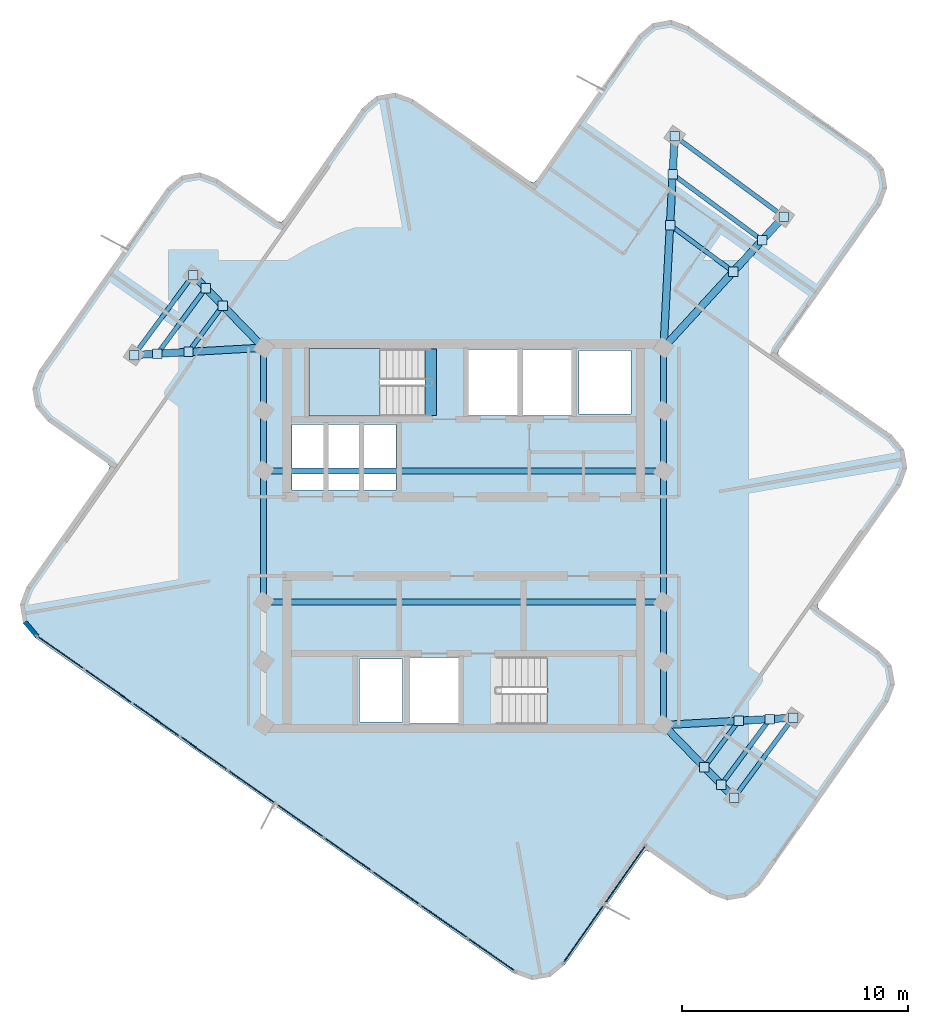
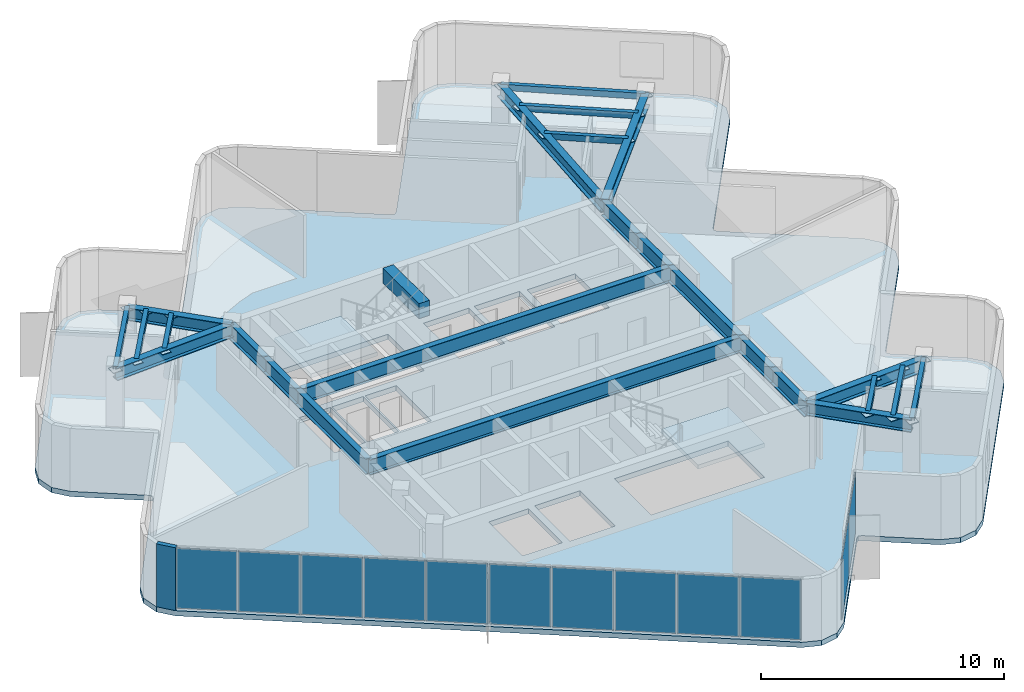
# One storey, part 3 of 8: 30 plates, 26 beams, 3 slabs, 1 wall, 4 elements without a shape of their own.
"""IFC4 building model written with IfcOpenShell, lengths in metres."""

from ifc_helpers import new_model, si_unit, direction, frame, frame_2d, origin, origin_2d, place, context, subcontext, project, spatial, polyline, rectangle, hollow_rectangle, i_section, outline, extrude, material, layer, layer_set, material_profile, profile_set, type_object, element, aggregate, save


model = new_model("IFC4")

# Units and contexts
model_context = context("Model", 3, precision=1e-05, world=origin(), true_north=direction((0.0, 1.0)))
body_context = subcontext(model_context, "Body", "Model", "MODEL_VIEW")
ifc_project = project(units=[si_unit("LENGTHUNIT", "METRE"), si_unit("AREAUNIT", "SQUARE_METRE"), si_unit("VOLUMEUNIT", "CUBIC_METRE"), si_unit("PLANEANGLEUNIT", "RADIAN"), si_unit("MASSUNIT", "GRAM", prefix="KILO")], contexts=[model_context])

# Site, building, storey
site_placement = place(None, origin())
site = spatial("IfcSite", under=ifc_project, at=site_placement, CompositionType="ELEMENT")
building_placement = place(site_placement, origin())
building = spatial("IfcBuilding", under=site, at=building_placement, Name="Solmarez Civic Tower", CompositionType="ELEMENT")
storey_placement = place(building_placement, frame((0.0, 0.0, 264.60009765625)))
storey = spatial("IfcBuildingStorey", under=building, at=storey_placement, Name="L71", CompositionType="ELEMENT", Elevation=264.60009765625)

# Beams
ifc_material_1 = material(Name="Steel S355", Category="steel")
ifc_material_profile_1 = material_profile(ifc_material_1, hollow_rectangle(XDim=0.199951171875, YDim=0.300048828125, WallThickness=0.011962890625, at=origin_2d()), Name="HSS300X200X12")
ifc_profile_set_1 = profile_set([ifc_material_profile_1], Name="Steel S355")
beam_type_1 = type_object("IfcBeamType", Name="BM-JS-HSS300X200", PredefinedType="JOIST", material=ifc_profile_set_1)
beam_1_placement = place(storey_placement, frame((14.1689453125, 14.152099609375, 3.010009765625), z_axis=(-0.804687480311, 0.593698626434, 0.0), x_axis=(-0.593698626434, -0.804687480311, 0.0)))
element("IfcBeam", 1, at=beam_1_placement, inside=storey, type_object=beam_type_1, Name="L71 Secondary Floor Joist BM-L71-EA-T1", PredefinedType="JOIST", context=body_context, shape_type="SweptSolid", body=[
    extrude(hollow_rectangle(XDim=0.199951171875, YDim=0.300048828125, WallThickness=0.011962890625, at=origin_2d()), origin(), (0.0, 0.0, 1.0), 5.999755859375),
])
beam_2_placement = place(storey_placement, frame((11.93505859375, 11.715087890625, 3.010009765625), z_axis=(-0.8046818189, 0.593706299724, 0.0), x_axis=(-0.593706299724, -0.8046818189, 0.0)))
element("IfcBeam", 2, at=beam_2_placement, inside=storey, type_object=beam_type_1, Name="L71 Secondary Floor Joist JS-L71-EA-M11", PredefinedType="JOIST", context=body_context, shape_type="SweptSolid", body=[
    extrude(hollow_rectangle(XDim=0.199951171875, YDim=0.300048828125, WallThickness=0.011962890625, at=origin_2d()), origin(), (0.0, 0.0, 1.0), 3.479736328125),
])
beam_3_placement = place(storey_placement, frame((13.2119140625, 13.10791015625, 3.010009765625), z_axis=(-0.804762606031, 0.593596789019, 0.0), x_axis=(-0.593596789019, -0.804762606031, 0.0)))
element("IfcBeam", 3, at=beam_3_placement, inside=storey, type_object=beam_type_1, Name="L71 Secondary Floor Joist JS-L71-EA-M12", PredefinedType="JOIST", context=body_context, shape_type="SweptSolid", body=[
    extrude(hollow_rectangle(XDim=0.199951171875, YDim=0.300048828125, WallThickness=0.011962890625, at=origin_2d()), origin(), (0.0, 0.0, 1.0), 4.91943359375),
])
beam_4_placement = place(storey_placement, frame((-11.970947265625, 11.56591796875, 3.010009765625), z_axis=(-0.593730834471, -0.804663716219, 0.0), x_axis=(0.804663716219, -0.593730834471, 0.0)))
element("IfcBeam", 4, at=beam_4_placement, inside=storey, type_object=beam_type_1, Name="L71 Secondary Floor Joist BM-L71-NA-T1", PredefinedType="JOIST", context=body_context, shape_type="SweptSolid", body=[
    extrude(hollow_rectangle(XDim=0.199951171875, YDim=0.300048828125, WallThickness=0.011962890625, at=origin_2d()), origin(), (0.0, 0.0, 1.0), 4.3994140625),
])
beam_5_placement = place(storey_placement, frame((-10.659912109375, 10.215087890625, 3.010009765625), z_axis=(-0.593812477683, -0.804603468392, 0.0), x_axis=(0.804603468392, -0.593812477683, 0.0)))
element("IfcBeam", 5, at=beam_5_placement, inside=storey, type_object=beam_type_1, Name="L71 Secondary Floor Joist JS-L71-NA-M11", PredefinedType="JOIST", context=body_context, shape_type="SweptSolid", body=[
    extrude(hollow_rectangle(XDim=0.199951171875, YDim=0.300048828125, WallThickness=0.011962890625, at=origin_2d()), origin(), (0.0, 0.0, 1.0), 2.551513671875),
])
beam_6_placement = place(storey_placement, frame((-11.408935546875, 10.987060546875, 3.010009765625), z_axis=(-0.593734433343, -0.804661060735, 0.0), x_axis=(0.804661060735, -0.593734433343, 0.0)))
element("IfcBeam", 6, at=beam_6_placement, inside=storey, type_object=beam_type_1, Name="L71 Secondary Floor Joist JS-L71-NA-M12", PredefinedType="JOIST", context=body_context, shape_type="SweptSolid", body=[
    extrude(hollow_rectangle(XDim=0.199951171875, YDim=0.300048828125, WallThickness=0.011962890625, at=origin_2d()), origin(), (0.0, 0.0, 1.0), 3.60791015625),
])
beam_7_placement = place(storey_placement, frame((11.970947265625, -11.56591796875, 3.010009765625), z_axis=(0.593730834471, 0.804663716219, 0.0), x_axis=(-0.804663716219, 0.593730834471, 0.0)))
element("IfcBeam", 7, at=beam_7_placement, inside=storey, type_object=beam_type_1, Name="L71 Secondary Floor Joist BM-L71-SA-T1", PredefinedType="JOIST", context=body_context, shape_type="SweptSolid", body=[
    extrude(hollow_rectangle(XDim=0.199951171875, YDim=0.300048828125, WallThickness=0.011962890625, at=origin_2d()), origin(), (0.0, 0.0, 1.0), 4.3994140625),
])
beam_8_placement = place(storey_placement, frame((10.659912109375, -10.215087890625, 3.010009765625), z_axis=(0.593812477683, 0.804603468392, 0.0), x_axis=(-0.804603468392, 0.593812477683, 0.0)))
element("IfcBeam", 8, at=beam_8_placement, inside=storey, type_object=beam_type_1, Name="L71 Secondary Floor Joist JS-L71-SA-M11", PredefinedType="JOIST", context=body_context, shape_type="SweptSolid", body=[
    extrude(hollow_rectangle(XDim=0.199951171875, YDim=0.300048828125, WallThickness=0.011962890625, at=origin_2d()), origin(), (0.0, 0.0, 1.0), 2.551513671875),
])
beam_9_placement = place(storey_placement, frame((11.408935546875, -10.987060546875, 3.010009765625), z_axis=(0.593734433343, 0.804661060735, 0.0), x_axis=(-0.804661060735, 0.593734433343, 0.0)))
element("IfcBeam", 9, at=beam_9_placement, inside=storey, type_object=beam_type_1, Name="L71 Secondary Floor Joist JS-L71-SA-M12", PredefinedType="JOIST", context=body_context, shape_type="SweptSolid", body=[
    extrude(hollow_rectangle(XDim=0.199951171875, YDim=0.300048828125, WallThickness=0.011962890625, at=origin_2d()), origin(), (0.0, 0.0, 1.0), 3.60791015625),
])
ifc_material_2 = material(Name="Concrete C50/60", Category="concrete")
ifc_material_profile_2 = material_profile(ifc_material_2, rectangle(XDim=0.5, YDim=0.75, at=origin_2d()), Name="RC500X750")
ifc_profile_set_2 = profile_set([ifc_material_profile_2], Name="Concrete C50/60")
beam_type_2 = type_object("IfcBeamType", Name="BM-PR-RC500X750", PredefinedType="BEAM", material=ifc_profile_set_2)
beam_10_placement = place(storey_placement, frame((-1.449951171875, 5.340087890625, 3.052978515625), z_axis=(0.0, 1.0, 0.0), x_axis=(-1.0, 0.0, 0.0)))
element("IfcBeam", 10, at=beam_10_placement, inside=storey, type_object=beam_type_2, Name="L71 North Stair Threshold Beam", PredefinedType="BEAM", context=body_context, shape_type="SweptSolid", body=[
    extrude(rectangle(XDim=0.5, YDim=0.75, at=origin_2d()), origin(), (0.0, 0.0, 1.0), 2.9599609375),
])
ifc_material_profile_3 = material_profile(ifc_material_1, i_section(OverallWidth=0.327880859375, OverallDepth=0.6220703125, WebThickness=0.015380859375, FlangeThickness=0.0244140625, at=origin_2d()), Name="W24X131")
ifc_profile_set_3 = profile_set([ifc_material_profile_3], Name="Steel S355")
beam_type_3 = type_object("IfcBeamType", Name="BM-PR-W24X131", PredefinedType="BEAM", material=ifc_profile_set_3)
beam_11_placement = place(storey_placement, frame((8.85009765625, 8.35009765625, 2.848876953125), z_axis=(0.67574850583, 0.737132251953, 0.0), x_axis=(-0.737132251953, 0.67574850583, 0.0)))
element("IfcBeam", 11, at=beam_11_placement, inside=storey, type_object=beam_type_3, Name="L71 Primary Floor Beam BM-L71-EA-R1A", PredefinedType="BEAM", context=body_context, shape_type="SweptSolid", body=[
    extrude(i_section(OverallWidth=0.327880859375, OverallDepth=0.6220703125, WebThickness=0.015380859375, FlangeThickness=0.0244140625, at=origin_2d()), origin(), (0.0, 0.0, 1.0), 7.87109375),
])
beam_12_placement = place(storey_placement, frame((8.85009765625, 8.35009765625, 2.848876953125), z_axis=(0.052359315135, 0.998628310293, 0.0), x_axis=(-0.998628310293, 0.052359315135, 0.0)))
element("IfcBeam", 12, at=beam_12_placement, inside=storey, type_object=beam_type_3, Name="L71 Primary Floor Beam BM-L71-EA-R1B", PredefinedType="BEAM", context=body_context, shape_type="SweptSolid", body=[
    extrude(i_section(OverallWidth=0.327880859375, OverallDepth=0.6220703125, WebThickness=0.015380859375, FlangeThickness=0.0244140625, at=origin_2d()), origin(), (0.0, 0.0, 1.0), 9.376953125),
])
beam_13_placement = place(storey_placement, frame((-8.85009765625, 8.35009765625, 2.848876953125), z_axis=(-0.696430820305, 0.717623935309, 0.0), x_axis=(-0.717623935309, -0.696430820305, 0.0)))
element("IfcBeam", 13, at=beam_13_placement, inside=storey, type_object=beam_type_3, Name="L71 Primary Floor Beam BM-L71-NA-R1A", PredefinedType="BEAM", context=body_context, shape_type="SweptSolid", body=[
    extrude(i_section(OverallWidth=0.327880859375, OverallDepth=0.6220703125, WebThickness=0.015380859375, FlangeThickness=0.0244140625, at=origin_2d()), origin(), (0.0, 0.0, 1.0), 4.481201171875),
])
beam_14_placement = place(storey_placement, frame((-8.85009765625, 8.35009765625, 2.848876953125), z_axis=(-0.998404650863, -0.056463732917, 0.0), x_axis=(0.056463732917, -0.998404650863, 0.0)))
element("IfcBeam", 14, at=beam_14_placement, inside=storey, type_object=beam_type_3, Name="L71 Primary Floor Beam BM-L71-NA-R1B", PredefinedType="BEAM", context=body_context, shape_type="SweptSolid", body=[
    extrude(i_section(OverallWidth=0.327880859375, OverallDepth=0.6220703125, WebThickness=0.015380859375, FlangeThickness=0.0244140625, at=origin_2d()), origin(), (0.0, 0.0, 1.0), 5.7421875),
])
beam_15_placement = place(storey_placement, frame((8.85009765625, -8.35009765625, 2.848876953125), z_axis=(0.696430820305, -0.717623935309, 0.0), x_axis=(0.717623935309, 0.696430820305, 0.0)))
element("IfcBeam", 15, at=beam_15_placement, inside=storey, type_object=beam_type_3, Name="L71 Primary Floor Beam BM-L71-SA-R1A", PredefinedType="BEAM", context=body_context, shape_type="SweptSolid", body=[
    extrude(i_section(OverallWidth=0.327880859375, OverallDepth=0.6220703125, WebThickness=0.015380859375, FlangeThickness=0.0244140625, at=origin_2d()), origin(), (0.0, 0.0, 1.0), 4.481201171875),
])
beam_16_placement = place(storey_placement, frame((8.85009765625, -8.35009765625, 2.848876953125), z_axis=(0.998404650863, 0.056463732917, 0.0), x_axis=(-0.056463732917, 0.998404650863, 0.0)))
element("IfcBeam", 16, at=beam_16_placement, inside=storey, type_object=beam_type_3, Name="L71 Primary Floor Beam BM-L71-SA-R1B", PredefinedType="BEAM", context=body_context, shape_type="SweptSolid", body=[
    extrude(i_section(OverallWidth=0.327880859375, OverallDepth=0.6220703125, WebThickness=0.015380859375, FlangeThickness=0.0244140625, at=origin_2d()), origin(), (0.0, 0.0, 1.0), 5.7421875),
])
ifc_material_profile_4 = material_profile(ifc_material_1, i_section(OverallWidth=0.26708984375, OverallDepth=0.761962890625, WebThickness=0.014404296875, FlangeThickness=0.021484375, at=origin_2d()), Name="W30X116")
ifc_profile_set_4 = profile_set([ifc_material_profile_4], Name="Steel S355")
beam_type_4 = type_object("IfcBeamType", Name="BM-PR-W30X116", PredefinedType="BEAM", material=ifc_profile_set_4)
beam_17_placement = place(storey_placement, frame((-8.85009765625, -2.89990234375, 2.77880859375), z_axis=(0.0, 1.0, 0.0), x_axis=(-1.0, 0.0, 0.0)))
element("IfcBeam", 17, at=beam_17_placement, inside=storey, type_object=beam_type_4, Name="L71 Primary Floor Beam BM-L71-HC2-HC3", PredefinedType="BEAM", context=body_context, shape_type="SweptSolid", body=[
    extrude(i_section(OverallWidth=0.26708984375, OverallDepth=0.761962890625, WebThickness=0.014404296875, FlangeThickness=0.021484375, at=origin_2d()), origin(), (0.0, 0.0, 1.0), 5.7998046875),
])
beam_18_placement = place(storey_placement, frame((-8.85009765625, 2.89990234375, 2.77880859375), z_axis=(0.0, 1.0, 0.0), x_axis=(-1.0, 0.0, 0.0)))
element("IfcBeam", 18, at=beam_18_placement, inside=storey, type_object=beam_type_4, Name="L71 Primary Floor Beam BM-L71-HC3-HC4", PredefinedType="BEAM", context=body_context, shape_type="SweptSolid", body=[
    extrude(i_section(OverallWidth=0.26708984375, OverallDepth=0.761962890625, WebThickness=0.014404296875, FlangeThickness=0.021484375, at=origin_2d()), origin(), (0.0, 0.0, 1.0), 2.650146484375),
])
for number, where, z_axis, x_axis, name in (
    (19, (-8.85009765625, 5.550048828125, 2.77880859375), (0.0, 1.0, 0.0), (-1.0, 0.0, 0.0), "L71 Primary Floor Beam BM-L71-HC4-HC9"),
    (20, (8.85009765625, -8.35009765625, 2.77880859375), (0.0, 1.0, 0.0), (-1.0, 0.0, 0.0), "L71 Primary Floor Beam BM-L71-HC10-HC5"),
):
    element("IfcBeam", number, at=place(storey_placement, frame(where, z_axis=z_axis, x_axis=x_axis)), inside=storey, type_object=beam_type_4, Name=name, PredefinedType="BEAM", context=body_context, shape_type="SweptSolid", body=[
        extrude(i_section(OverallWidth=0.26708984375, OverallDepth=0.761962890625, WebThickness=0.014404296875, FlangeThickness=0.021484375, at=origin_2d()), origin(), (0.0, 0.0, 1.0), 2.800048828125),
    ])
beam_19_placement = place(storey_placement, frame((8.85009765625, -5.550048828125, 2.77880859375), z_axis=(0.0, 1.0, 0.0), x_axis=(-1.0, 0.0, 0.0)))
element("IfcBeam", 21, at=beam_19_placement, inside=storey, type_object=beam_type_4, Name="L71 Primary Floor Beam BM-L71-HC5-HC6", PredefinedType="BEAM", context=body_context, shape_type="SweptSolid", body=[
    extrude(i_section(OverallWidth=0.26708984375, OverallDepth=0.761962890625, WebThickness=0.014404296875, FlangeThickness=0.021484375, at=origin_2d()), origin(), (0.0, 0.0, 1.0), 2.650146484375),
])
beam_20_placement = place(storey_placement, frame((8.85009765625, -2.89990234375, 2.77880859375), z_axis=(0.0, 1.0, 0.0), x_axis=(-1.0, 0.0, 0.0)))
element("IfcBeam", 22, at=beam_20_placement, inside=storey, type_object=beam_type_4, Name="L71 Primary Floor Beam BM-L71-HC6-HC7", PredefinedType="BEAM", context=body_context, shape_type="SweptSolid", body=[
    extrude(i_section(OverallWidth=0.26708984375, OverallDepth=0.761962890625, WebThickness=0.014404296875, FlangeThickness=0.021484375, at=origin_2d()), origin(), (0.0, 0.0, 1.0), 5.7998046875),
])
beam_21_placement = place(storey_placement, frame((8.85009765625, 2.89990234375, 2.77880859375), z_axis=(0.0, 1.0, 0.0), x_axis=(-1.0, 0.0, 0.0)))
element("IfcBeam", 23, at=beam_21_placement, inside=storey, type_object=beam_type_4, Name="L71 Primary Floor Beam BM-L71-HC7-HC8", PredefinedType="BEAM", context=body_context, shape_type="SweptSolid", body=[
    extrude(i_section(OverallWidth=0.26708984375, OverallDepth=0.761962890625, WebThickness=0.014404296875, FlangeThickness=0.021484375, at=origin_2d()), origin(), (0.0, 0.0, 1.0), 2.650146484375),
])
beam_22_placement = place(storey_placement, frame((8.85009765625, 5.550048828125, 2.77880859375), z_axis=(0.0, 1.0, 0.0), x_axis=(-1.0, 0.0, 0.0)))
element("IfcBeam", 24, at=beam_22_placement, inside=storey, type_object=beam_type_4, Name="L71 Primary Floor Beam BM-L71-HC8-HC11", PredefinedType="BEAM", context=body_context, shape_type="SweptSolid", body=[
    extrude(i_section(OverallWidth=0.26708984375, OverallDepth=0.761962890625, WebThickness=0.014404296875, FlangeThickness=0.021484375, at=origin_2d()), origin(), (0.0, 0.0, 1.0), 2.800048828125),
])
for number, where, z_axis, x_axis, name in (
    (25, (-8.85009765625, -2.89990234375, 2.77880859375), (1.0, 0.0, 0.0), (0.0, 1.0, 0.0), "L71 Primary Floor Beam BM-L71-HC2-HC6"),
    (26, (-8.85009765625, 2.89990234375, 2.77880859375), (1.0, 0.0, 0.0), (0.0, 1.0, 0.0), "L71 Primary Floor Beam BM-L71-HC3-HC7"),
):
    element("IfcBeam", number, at=place(storey_placement, frame(where, z_axis=z_axis, x_axis=x_axis)), inside=storey, type_object=beam_type_4, Name=name, PredefinedType="BEAM", context=body_context, shape_type="SweptSolid", body=[
        extrude(i_section(OverallWidth=0.26708984375, OverallDepth=0.761962890625, WebThickness=0.014404296875, FlangeThickness=0.021484375, at=origin_2d()), origin(), (0.0, 0.0, 1.0), 17.7001953125),
    ])

# Curtain wall, plates
ifc_material_3 = material(Name="Bronze Anodised Aluminium EN AW-6063 T6", Category="aluminium")
ifc_layer_1 = layer(ifc_material_3, 0.1650390625)
ifc_layer_set_1 = layer_set([ifc_layer_1], Name="Bronze Anodised Aluminium EN AW-6063 T6")
curtain_wall_type = type_object("IfcCurtainWallType", Name="CW-SYS-4", PredefinedType="NOTDEFINED", material=ifc_layer_set_1)
curtain_wall_1_placement = place(storey_placement, origin())
curtain_wall_1 = element("IfcCurtainWall", 27, at=curtain_wall_1_placement, inside=storey, type_object=curtain_wall_type, Name="L71 Stick-Built Curtain Wall 1", PredefinedType="NOTDEFINED")
ifc_material_4 = material(Name="Solar Control Low-E Laminated Vision Glass", Category="glass")
ifc_layer_2 = layer(ifc_material_4, 0.0400390625)
ifc_layer_set_2 = layer_set([ifc_layer_2], Name="Solar Control Low-E Laminated Vision Glass")
plate_type_1 = type_object("IfcPlateType", Name="CWP-GLAZ-40", PredefinedType="CURTAIN_PANEL", material=ifc_layer_set_2)
plate_1_placement = place(storey_placement, frame((7.154541015625, -14.965576171875, 0.06982421875), z_axis=(0.0, 0.0, 1.0), x_axis=(-0.574285214627, -0.81865529514, 0.0)))
plate_1 = element("IfcPlate", 28, at=plate_1_placement, type_object=plate_type_1, Name="CWS4 panel 1.1", PredefinedType="CURTAIN_PANEL", context=body_context, shape_type="SweptSolid", body=[
    extrude(rectangle(XDim=3.130615234375, YDim=0.0400390625, at=origin_2d()), origin(), (0.0, 0.0, 1.0), 3.02001953125),
])
plate_2_placement = place(storey_placement, frame((5.322265625, -17.577392578125, 0.06982421875), z_axis=(0.0, 0.0, 1.0), x_axis=(-0.574285214627, -0.81865529514, 0.0)))
plate_2 = element("IfcPlate", 29, at=plate_2_placement, type_object=plate_type_1, Name="CWS4 panel 2.1", PredefinedType="CURTAIN_PANEL", context=body_context, shape_type="SweptSolid", body=[
    extrude(rectangle(XDim=3.130615234375, YDim=0.0400390625, at=origin_2d()), origin(), (0.0, 0.0, 1.0), 3.02001953125),
])
aggregate(curtain_wall_1, [plate_1, plate_2])

curtain_wall_2_placement = place(storey_placement, origin())
curtain_wall_2 = element("IfcCurtainWall", 30, at=curtain_wall_2_placement, inside=storey, type_object=curtain_wall_type, Name="L71 Stick-Built Curtain Wall 2", PredefinedType="NOTDEFINED")
plate_3_placement = place(storey_placement, frame((1.242431640625, -18.520263671875, 0.06982421875), z_axis=(0.0, 0.0, 1.0), x_axis=(-0.818738672541, 0.574166340085, 0.0)))
plate_3 = element("IfcPlate", 31, at=plate_3_placement, type_object=plate_type_1, Name="CWS4 panel 1.1", PredefinedType="CURTAIN_PANEL", context=body_context, shape_type="SweptSolid", body=[
    extrude(rectangle(XDim=2.502197265625, YDim=0.0400390625, at=origin_2d()), origin(), (0.0, 0.0, 1.0), 3.02001953125),
])
plate_4_placement = place(storey_placement, frame((-0.86767578125, -17.040283203125, 0.06982421875), z_axis=(0.0, 0.0, 1.0), x_axis=(-0.818738672541, 0.574166340085, 0.0)))
plate_4 = element("IfcPlate", 32, at=plate_4_placement, type_object=plate_type_1, Name="CWS4 panel 2.1", PredefinedType="CURTAIN_PANEL", context=body_context, shape_type="SweptSolid", body=[
    extrude(rectangle(XDim=2.5322265625, YDim=0.0400390625, at=origin_2d()), origin(), (0.0, 0.0, 1.0), 3.02001953125),
])
plate_5_placement = place(storey_placement, frame((-2.989990234375, -15.552001953125, 0.06982421875), z_axis=(0.0, 0.0, 1.0), x_axis=(-0.818738672541, 0.574166340085, 0.0)))
plate_5 = element("IfcPlate", 33, at=plate_5_placement, type_object=plate_type_1, Name="CWS4 panel 3.1", PredefinedType="CURTAIN_PANEL", context=body_context, shape_type="SweptSolid", body=[
    extrude(rectangle(XDim=2.5322265625, YDim=0.0400390625, at=origin_2d()), origin(), (0.0, 0.0, 1.0), 3.02001953125),
])
plate_6_placement = place(storey_placement, frame((-5.1123046875, -14.063720703125, 0.06982421875), z_axis=(0.0, 0.0, 1.0), x_axis=(-0.818738672541, 0.574166340085, 0.0)))
plate_6 = element("IfcPlate", 34, at=plate_6_placement, type_object=plate_type_1, Name="CWS4 panel 4.1", PredefinedType="CURTAIN_PANEL", context=body_context, shape_type="SweptSolid", body=[
    extrude(rectangle(XDim=2.5322265625, YDim=0.0400390625, at=origin_2d()), origin(), (0.0, 0.0, 1.0), 3.02001953125),
])
plate_7_placement = place(storey_placement, frame((-7.23486328125, -12.5751953125, 0.06982421875), z_axis=(0.0, 0.0, 1.0), x_axis=(-0.818738672541, 0.574166340085, 0.0)))
plate_7 = element("IfcPlate", 35, at=plate_7_placement, type_object=plate_type_1, Name="CWS4 panel 5.1", PredefinedType="CURTAIN_PANEL", context=body_context, shape_type="SweptSolid", body=[
    extrude(rectangle(XDim=2.5322265625, YDim=0.0400390625, at=origin_2d()), origin(), (0.0, 0.0, 1.0), 3.02001953125),
])
plate_8_placement = place(storey_placement, frame((-9.357177734375, -11.0869140625, 0.06982421875), z_axis=(0.0, 0.0, 1.0), x_axis=(-0.818738672541, 0.574166340085, 0.0)))
plate_8 = element("IfcPlate", 36, at=plate_8_placement, type_object=plate_type_1, Name="CWS4 panel 6.1", PredefinedType="CURTAIN_PANEL", context=body_context, shape_type="SweptSolid", body=[
    extrude(rectangle(XDim=2.5322265625, YDim=0.0400390625, at=origin_2d()), origin(), (0.0, 0.0, 1.0), 3.02001953125),
])
plate_9_placement = place(storey_placement, frame((-11.4794921875, -9.598388671875, 0.06982421875), z_axis=(0.0, 0.0, 1.0), x_axis=(-0.818738672541, 0.574166340085, 0.0)))
plate_9 = element("IfcPlate", 37, at=plate_9_placement, type_object=plate_type_1, Name="CWS4 panel 7.1", PredefinedType="CURTAIN_PANEL", context=body_context, shape_type="SweptSolid", body=[
    extrude(rectangle(XDim=2.5322265625, YDim=0.0400390625, at=origin_2d()), origin(), (0.0, 0.0, 1.0), 3.02001953125),
])
plate_10_placement = place(storey_placement, frame((-13.60205078125, -8.110107421875, 0.06982421875), z_axis=(0.0, 0.0, 1.0), x_axis=(-0.818738672541, 0.574166340085, 0.0)))
plate_10 = element("IfcPlate", 38, at=plate_10_placement, type_object=plate_type_1, Name="CWS4 panel 8.1", PredefinedType="CURTAIN_PANEL", context=body_context, shape_type="SweptSolid", body=[
    extrude(rectangle(XDim=2.5322265625, YDim=0.0400390625, at=origin_2d()), origin(), (0.0, 0.0, 1.0), 3.02001953125),
])
plate_11_placement = place(storey_placement, frame((-15.724365234375, -6.62158203125, 0.06982421875), z_axis=(0.0, 0.0, 1.0), x_axis=(-0.818738672541, 0.574166340085, 0.0)))
plate_11 = element("IfcPlate", 39, at=plate_11_placement, type_object=plate_type_1, Name="CWS4 panel 9.1", PredefinedType="CURTAIN_PANEL", context=body_context, shape_type="SweptSolid", body=[
    extrude(rectangle(XDim=2.5322265625, YDim=0.0400390625, at=origin_2d()), origin(), (0.0, 0.0, 1.0), 3.02001953125),
])
plate_12_placement = place(storey_placement, frame((-17.83447265625, -5.141845703125, 0.06982421875), z_axis=(0.0, 0.0, 1.0), x_axis=(-0.818738672541, 0.574166340085, 0.0)))
plate_12 = element("IfcPlate", 40, at=plate_12_placement, type_object=plate_type_1, Name="CWS4 panel 10.1", PredefinedType="CURTAIN_PANEL", context=body_context, shape_type="SweptSolid", body=[
    extrude(rectangle(XDim=2.502197265625, YDim=0.0400390625, at=origin_2d()), origin(), (0.0, 0.0, 1.0), 3.02001953125),
])
aggregate(curtain_wall_2, [plate_3, plate_4, plate_5, plate_6, plate_7, plate_8, plate_9, plate_10, plate_11, plate_12])

# Plates
ifc_layer_3 = layer(ifc_material_1, 0.02392578125)
ifc_layer_set_3 = layer_set([ifc_layer_3], Name="Steel S355")
plate_type_2 = type_object("IfcPlateType", Name="PLT-CAP-380", PredefinedType="USERDEFINED", material=ifc_layer_set_3)
for number, where, z_axis, x_axis, name in (
    (41, (14.1689453125, 14.152099609375, 2.998046875), (0.0, 0.0, 1.0), (1.0, 0.0, 0.0), "Steel Member End Cap Plate CAP-BM-L71-EA-T1-0"),
    (42, (9.341064453125, 17.714111328125, 2.998046875), (0.0, 0.0, 1.0), (1.0, 0.0, 0.0), "Steel Member End Cap Plate CAP-BM-L71-EA-T1-1"),
    (43, (11.93505859375, 11.715087890625, 2.998046875), (0.0, 0.0, 1.0), (1.0, 0.0, 0.0), "Steel Member End Cap Plate CAP-JS-L71-EA-M11-0"),
    (44, (9.135009765625, 13.781005859375, 2.998046875), (0.0, 0.0, 1.0), (1.0, 0.0, 0.0), "Steel Member End Cap Plate CAP-JS-L71-EA-M11-1"),
    (45, (13.2119140625, 13.10791015625, 2.998046875), (0.0, 0.0, 1.0), (1.0, 0.0, 0.0), "Steel Member End Cap Plate CAP-JS-L71-EA-M12-0"),
    (46, (9.2529296875, 16.028076171875, 2.998046875), (0.0, 0.0, 1.0), (1.0, 0.0, 0.0), "Steel Member End Cap Plate CAP-JS-L71-EA-M12-1"),
    (47, (-11.970947265625, 11.56591796875, 2.998046875), (0.0, 0.0, 1.0), (1.0, 0.0, 0.0), "Steel Member End Cap Plate CAP-BM-L71-NA-T1-0"),
    (48, (-14.5830078125, 8.02587890625, 2.998046875), (0.0, 0.0, 1.0), (1.0, 0.0, 0.0), "Steel Member End Cap Plate CAP-BM-L71-NA-T1-1"),
    (49, (-10.659912109375, 10.215087890625, 2.998046875), (0.0, 0.0, 1.0), (1.0, 0.0, 0.0), "Steel Member End Cap Plate CAP-JS-L71-NA-M11-0"),
    (50, (-12.175048828125, 8.162109375, 2.998046875), (0.0, 0.0, 1.0), (1.0, 0.0, 0.0), "Steel Member End Cap Plate CAP-JS-L71-NA-M11-1"),
    (51, (-11.408935546875, 10.987060546875, 2.998046875), (0.0, 0.0, 1.0), (1.0, 0.0, 0.0), "Steel Member End Cap Plate CAP-JS-L71-NA-M12-0"),
    (52, (-13.551025390625, 8.083984375, 2.998046875), (0.0, 0.0, 1.0), (1.0, 0.0, 0.0), "Steel Member End Cap Plate CAP-JS-L71-NA-M12-1"),
    (53, (11.970947265625, -11.56591796875, 2.998046875), (0.0, 0.0, 1.0), (1.0, 0.0, 0.0), "Steel Member End Cap Plate CAP-BM-L71-SA-T1-0"),
    (54, (14.5830078125, -8.02587890625, 2.998046875), (0.0, 0.0, 1.0), (1.0, 0.0, 0.0), "Steel Member End Cap Plate CAP-BM-L71-SA-T1-1"),
    (55, (10.659912109375, -10.215087890625, 2.998046875), (0.0, 0.0, 1.0), (1.0, 0.0, 0.0), "Steel Member End Cap Plate CAP-JS-L71-SA-M11-0"),
    (56, (12.175048828125, -8.162109375, 2.998046875), (0.0, 0.0, 1.0), (1.0, 0.0, 0.0), "Steel Member End Cap Plate CAP-JS-L71-SA-M11-1"),
    (57, (11.408935546875, -10.987060546875, 2.998046875), (0.0, 0.0, 1.0), (1.0, 0.0, 0.0), "Steel Member End Cap Plate CAP-JS-L71-SA-M12-0"),
    (58, (13.551025390625, -8.083984375, 2.998046875), (0.0, 0.0, 1.0), (1.0, 0.0, 0.0), "Steel Member End Cap Plate CAP-JS-L71-SA-M12-1"),
):
    element("IfcPlate", number, at=place(storey_placement, frame(where, z_axis=z_axis, x_axis=x_axis)), inside=storey, type_object=plate_type_2, Name=name, ObjectType="CAP_PLATE", PredefinedType="USERDEFINED", context=body_context, shape_type="SweptSolid", body=[
        extrude(rectangle(XDim=0.419921875, YDim=0.419921875, at=origin_2d()), origin(), (0.0, 0.0, 1.0), 0.02392578125),
    ])

# Stair, slab
stair_type = type_object("IfcStairType", Name="STAIR-DOGLEG-140W-18R-1900", PredefinedType="HALF_TURN_STAIR", material=ifc_material_2)
stair_1_placement = place(storey_placement, origin())
stair_1 = element("IfcStair", 59, at=stair_1_placement, inside=storey, type_object=stair_type, Name="L71 North Core Protected Exit Stair ST-1", PredefinedType="HALF_TURN_STAIR")
ifc_layer_4 = layer(ifc_material_2, 0.199951171875)
ifc_layer_set_4 = layer_set([ifc_layer_4], Name="Concrete C50/60")
slab_type_1 = type_object("IfcSlabType", Name="SLAB-LANDING-200", PredefinedType="LANDING", material=ifc_layer_set_4)
slab_1_placement = place(storey_placement, frame((0.0, 0.0, 1.510009765625)))
slab_1 = element("IfcSlab", 60, at=slab_1_placement, type_object=slab_type_1, Name="ST-1 landing 1", PredefinedType="LANDING", context=body_context, shape_type="SweptSolid", body=[
    extrude(outline(polyline([(-3.68994140625, 8.320068359375), (-6.85009765625, 8.320068359375), (-6.85009765625, 5.320068359375), (-3.68994140625, 5.320068359375), (-3.68994140625, 8.320068359375)])), origin(), (0.0, 0.0, 1.0), 0.199951171875),
])
aggregate(stair_1, [slab_1])

stair_2_placement = place(storey_placement, origin())
stair_2 = element("IfcStair", 61, at=stair_2_placement, inside=storey, type_object=stair_type, Name="L71 South Core Protected Exit Stair ST-2", PredefinedType="HALF_TURN_STAIR")
slab_2_placement = place(storey_placement, frame((0.0, 0.0, 1.510009765625)))
slab_2 = element("IfcSlab", 62, at=slab_2_placement, type_object=slab_type_1, Name="ST-2 landing 1", PredefinedType="LANDING", context=body_context, shape_type="SweptSolid", body=[
    extrude(outline(polyline([(3.68994140625, -8.320068359375), (6.85009765625, -8.320068359375), (6.85009765625, -5.320068359375), (3.68994140625, -5.320068359375), (3.68994140625, -8.320068359375)])), origin(), (0.0, 0.0, 1.0), 0.199951171875),
])
aggregate(stair_2, [slab_2])

# Slab
ifc_layer_5 = layer(ifc_material_2, 0.260009765625)
ifc_layer_set_5 = layer_set([ifc_layer_5], Name="Concrete C50/60")
slab_type_2 = type_object("IfcSlabType", Name="SLAB-TOWER-260", PredefinedType="FLOOR", material=ifc_layer_set_5)
slab_3_placement = place(storey_placement, frame((0.0, 0.0, -0.260009765625)))
element("IfcSlab", 63, at=slab_3_placement, inside=storey, type_object=slab_type_2, Name="L71 Structural Slab", PredefinedType="FLOOR", context=body_context, shape_type="SweptSolid", body=[
    extrude(outline(polyline([(8.239013671875, -13.9599609375), (10.89111328125, -15.820068359375), (11.6689453125, -16.10400390625), (12.485107421875, -15.9609375), (13.118896484375, -15.428955078125), (18.802978515625, -7.322998046875), (19.0869140625, -6.544921875), (18.944091796875, -5.72900390625), (18.412109375, -5.094970703125), (15.760009765625, -3.235107421875), (15.64892578125, -3.10302734375), (15.7080078125, -2.94091796875), (19.347900390625, 2.2490234375), (19.632080078125, 3.027099609375), (19.489013671875, 3.843017578125), (18.95703125, 4.47802734375), (14.011962890625, 7.945068359375), (13.90087890625, 8.076904296875), (13.9599609375, 8.239013671875), (18.4609375, 14.656982421875), (18.7451171875, 15.43505859375), (18.60205078125, 16.2509765625), (18.070068359375, 16.885986328125), (9.964111328125, 22.570068359375), (9.18603515625, 22.85400390625), (8.37109375, 22.7099609375), (7.736083984375, 22.177978515625), (3.235107421875, 15.760009765625), (3.10302734375, 15.64892578125), (2.94091796875, 15.7080078125), (-2.2490234375, 19.347900390625), (-3.027099609375, 19.632080078125), (-3.843017578125, 19.489013671875), (-4.47802734375, 18.95703125), (-7.945068359375, 14.011962890625), (-8.076904296875, 13.90087890625), (-8.239013671875, 13.9599609375), (-10.89111328125, 15.820068359375), (-11.6689453125, 16.10400390625), (-12.485107421875, 15.9609375), (-13.118896484375, 15.428955078125), (-18.802978515625, 7.322998046875), (-19.0869140625, 6.544921875), (-18.944091796875, 5.72900390625), (-18.412109375, 5.094970703125), (-15.760009765625, 3.235107421875), (-15.64892578125, 3.10302734375), (-15.7080078125, 2.94091796875), (-19.347900390625, -2.2490234375), (-19.632080078125, -3.027099609375), (-19.489013671875, -3.843017578125), (-18.95703125, -4.47802734375), (2.2490234375, -19.347900390625), (3.027099609375, -19.632080078125), (3.843017578125, -19.489013671875), (4.47802734375, -18.95703125), (7.945068359375, -14.011962890625), (8.076904296875, -13.90087890625), (8.239013671875, -13.9599609375)]), holes=[polyline([(-1.449951171875, 8.320068359375), (-6.85009765625, 8.320068359375), (-6.85009765625, 5.320068359375), (-1.449951171875, 5.320068359375), (-1.449951171875, 8.320068359375)]), polyline([(1.449951171875, -8.320068359375), (6.85009765625, -8.320068359375), (6.85009765625, -5.320068359375), (1.449951171875, -5.320068359375), (1.449951171875, -8.320068359375)]), polyline([(0.219970703125, 5.360107421875), (2.3798828125, 5.360107421875), (2.3798828125, 8.280029296875), (0.219970703125, 8.280029296875), (0.219970703125, 5.360107421875)]), polyline([(2.6201171875, 5.360107421875), (4.780029296875, 5.360107421875), (4.780029296875, 8.280029296875), (2.6201171875, 8.280029296875), (2.6201171875, 5.360107421875)]), polyline([(-2.3798828125, -8.280029296875), (-0.219970703125, -8.280029296875), (-0.219970703125, -5.360107421875), (-2.3798828125, -5.360107421875), (-2.3798828125, -8.280029296875)]), polyline([(-7.60009765625, 2.06005859375), (-6.1201171875, 2.06005859375), (-6.1201171875, 4.9599609375), (-7.60009765625, 4.9599609375), (-7.60009765625, 2.06005859375)]), polyline([(-6.0400390625, 2.06005859375), (-4.56005859375, 2.06005859375), (-4.56005859375, 4.9599609375), (-6.0400390625, 4.9599609375), (-6.0400390625, 2.06005859375)]), polyline([(-4.47998046875, 2.06005859375), (-3.0, 2.06005859375), (-3.0, 4.9599609375), (-4.47998046875, 4.9599609375), (-4.47998046875, 2.06005859375)]), polyline([(5.10009765625, 5.419921875), (7.39990234375, 5.419921875), (7.39990234375, 8.219970703125), (5.10009765625, 8.219970703125), (5.10009765625, 5.419921875)]), polyline([(-4.60009765625, -8.219970703125), (-2.699951171875, -8.219970703125), (-2.699951171875, -5.419921875), (-4.60009765625, -5.419921875), (-4.60009765625, -8.219970703125)])]), origin(), (0.0, 0.0, 1.0), 0.260009765625),
])

# Wall
ifc_material_5 = material(Name="Precast concrete C40/50", Category="concrete")
ifc_layer_6 = layer(ifc_material_5, 0.199951171875)
ifc_layer_set_6 = layer_set([ifc_layer_6], Name="Precast concrete C40/50")
wall_type = type_object("IfcWallType", Name="WALL-EXT-200", PredefinedType="SOLIDWALL", material=ifc_layer_set_6)
wall_placement = place(storey_placement, frame((-18.8720703125, -4.422119140625, 0.0), z_axis=(0.0, 0.0, 1.0), x_axis=(-0.642816318642, 0.766020352528, 0.0)))
element("IfcWall", 64, at=wall_placement, inside=storey, type_object=wall_type, Name="L71 Exterior Precast Wall 7", PredefinedType="SOLIDWALL", context=body_context, shape_type="SweptSolid", body=[
    extrude(rectangle(XDim=0.838134765625, YDim=0.199951171875, at=frame_2d((0.4189453125, 0.0))), origin(), (0.0, 0.0, 1.0), 3.159912109375),
])

save(model, "model.ifc")
